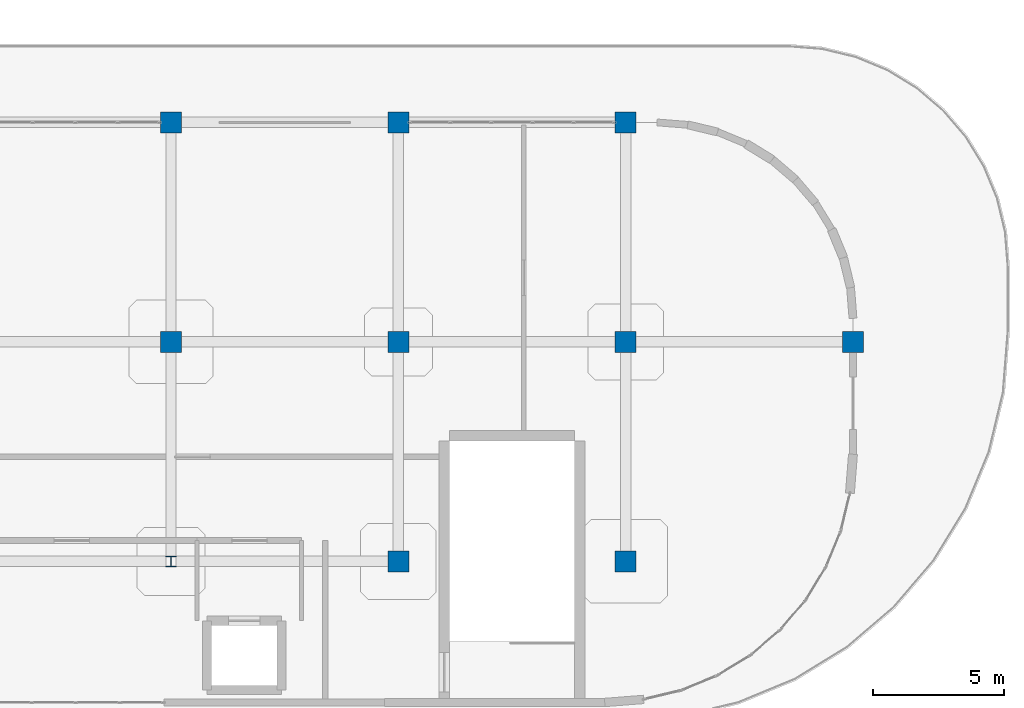
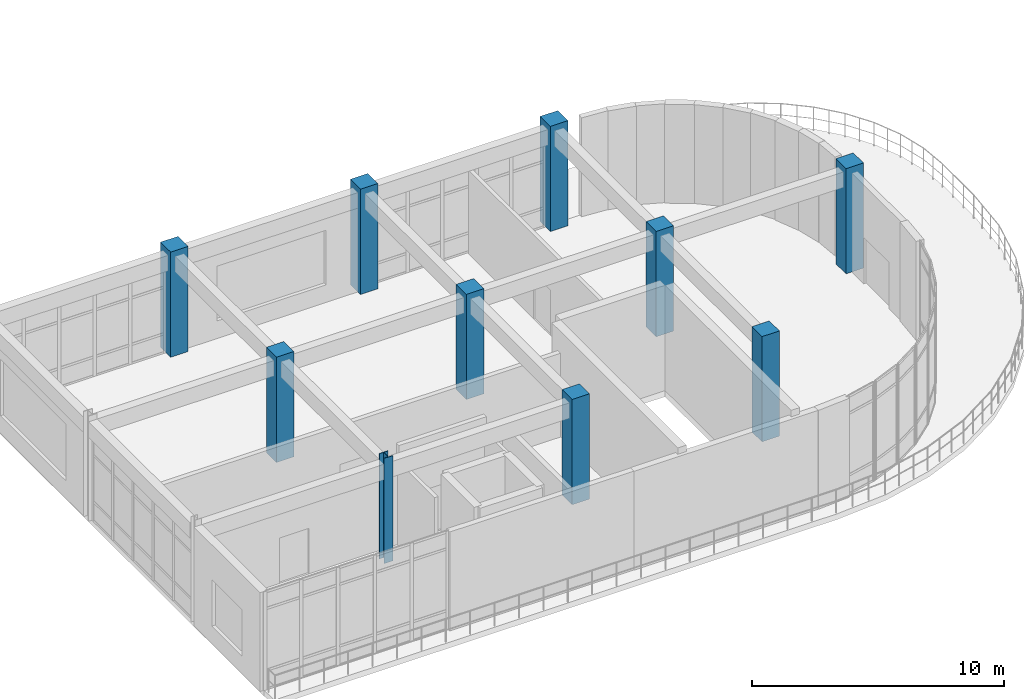
# One storey, part 4 of 96: 10 columns.
"""IFC4 building model written with IfcOpenShell, lengths in metres."""

from ifc_helpers import new_model, si_unit, derived_unit, direction, frame, origin, origin_2d, place, context, subcontext, project, spatial, rectangle, i_section, extrude, material, material_profile, profile_set, type_object, element, save


model = new_model("IFC4")

# Units and contexts
model_context = context("Model", 3, precision=1e-05, world=origin(), true_north=direction((0.0, 1.0)))
body_context = subcontext(model_context, "Body", "Model", "MODEL_VIEW")
ifc_project = project(units=[si_unit("LENGTHUNIT", "METRE"), si_unit("AREAUNIT", "SQUARE_METRE"), si_unit("VOLUMEUNIT", "CUBIC_METRE"), si_unit("PLANEANGLEUNIT", "RADIAN"), si_unit("MASSUNIT", "GRAM", prefix="KILO"), derived_unit("THERMALTRANSMITTANCEUNIT", [(si_unit("MASSUNIT", "GRAM", prefix="KILO"), 1), (si_unit("TIMEUNIT", "SECOND"), -3), (si_unit("THERMODYNAMICTEMPERATUREUNIT", "KELVIN"), -1)])], contexts=[model_context])

# Site, building, storey
site_placement = place(None, origin())
site = spatial("IfcSite", under=ifc_project, at=site_placement, CompositionType="ELEMENT")
building_placement = place(site_placement, origin())
building = spatial("IfcBuilding", under=site, at=building_placement, Name="Qinzheling Arcade Emporium", CompositionType="ELEMENT")
storey_placement = place(building_placement, frame((0.0, 0.0, 21.60009765625)))
storey = spatial("IfcBuildingStorey", under=building, at=storey_placement, Name="L05", CompositionType="ELEMENT", Elevation=21.60009765625)

# Columns
ifc_material_1 = material(Name="Structural steel Q355B", Category="steel")
ifc_material_profile_1 = material_profile(ifc_material_1, i_section(OverallWidth=0.39990234375, OverallDepth=0.39990234375, WebThickness=0.012939453125, FlangeThickness=0.02099609375, FilletRadius=0.02197265625, at=origin_2d()), Name="HW 400x400x13x21", Category="steel")
ifc_profile_set_1 = profile_set([ifc_material_profile_1], Name="Structural steel Q355B")
column_type_1 = type_object("IfcColumnType", Name="Canopy Steel Column HW400 Q355B", PredefinedType="COLUMN", material=ifc_profile_set_1)
column_placement = place(storey_placement, frame((130.5, 8.39990234375, 0.0), z_axis=(0.0, 0.0, 1.0), x_axis=(1.0, 0.0, 0.0)))
element("IfcColumn", 1, at=column_placement, inside=storey, type_object=column_type_1, Name="Column COL-L05-16-B", PredefinedType="COLUMN", context=body_context, shape_type="SweptSolid", body=[
    extrude(i_section(OverallWidth=0.39990234375, OverallDepth=0.39990234375, WebThickness=0.012939453125, FlangeThickness=0.02099609375, FilletRadius=0.02197265625, at=origin_2d()), origin(), (0.0, 0.0, 1.0), 5.099853515625),
])
ifc_material_2 = material(Name="Concrete C40", Category="concrete")
ifc_material_profile_2 = material_profile(ifc_material_2, rectangle(XDim=0.800048828125, YDim=0.800048828125, at=origin_2d()), Name="RC 800x800", Category="concrete")
ifc_profile_set_2 = profile_set([ifc_material_profile_2], Name="Concrete C40")
column_type_2 = type_object("IfcColumnType", Name="RC Column 800x800 C40", PredefinedType="COLUMN", material=ifc_profile_set_2)
for number, where, z_axis, x_axis, name in (
    (2, (130.5, 16.800048828125, 0.0), (0.0, 0.0, 1.0), (1.0, 0.0, 0.0), "Column COL-L05-16-C"),
    (3, (130.5, 25.199951171875, 0.0), (0.0, 0.0, 1.0), (1.0, 0.0, 0.0), "Column COL-L05-16-D"),
    (4, (139.199951171875, 8.39990234375, 0.0), (0.0, 0.0, 1.0), (1.0, 0.0, 0.0), "Column COL-L05-17-B"),
    (5, (139.199951171875, 16.800048828125, 0.0), (0.0, 0.0, 1.0), (1.0, 0.0, 0.0), "Column COL-L05-17-C"),
    (6, (139.199951171875, 25.199951171875, 0.0), (0.0, 0.0, 1.0), (1.0, 0.0, 0.0), "Column COL-L05-17-D"),
    (7, (147.89990234375, 8.39990234375, 0.0), (0.0, 0.0, 1.0), (1.0, 0.0, 0.0), "Column COL-L05-18-B"),
    (8, (147.89990234375, 16.800048828125, 0.0), (0.0, 0.0, 1.0), (1.0, 0.0, 0.0), "Column COL-L05-18-C"),
    (9, (147.89990234375, 25.199951171875, 0.0), (0.0, 0.0, 1.0), (1.0, 0.0, 0.0), "Column COL-L05-18-D"),
    (10, (156.60009765625, 16.800048828125, 0.0), (0.0, 0.0, 1.0), (1.0, 0.0, 0.0), "Column COL-L05-19-C"),
):
    element("IfcColumn", number, at=place(storey_placement, frame(where, z_axis=z_axis, x_axis=x_axis)), inside=storey, type_object=column_type_2, Name=name, PredefinedType="COLUMN", context=body_context, shape_type="SweptSolid", body=[
        extrude(rectangle(XDim=0.800048828125, YDim=0.800048828125, at=origin_2d()), origin(), (0.0, 0.0, 1.0), 5.099853515625),
    ])

save(model, "model.ifc")
